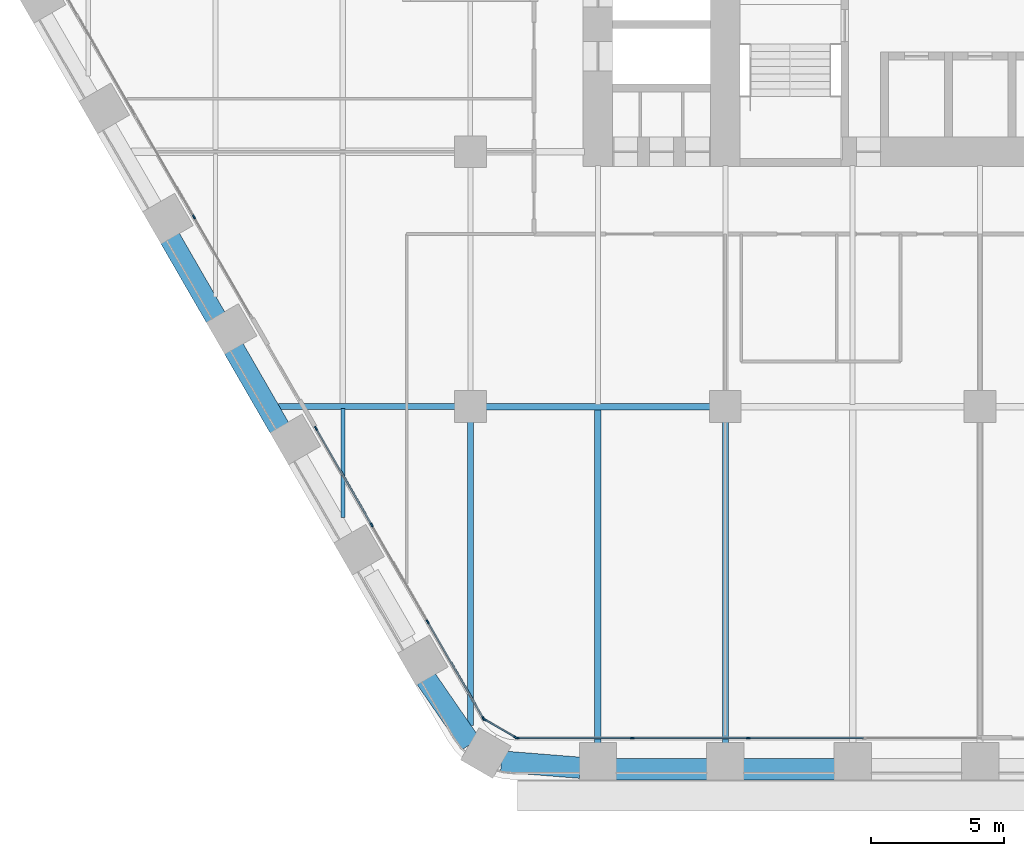
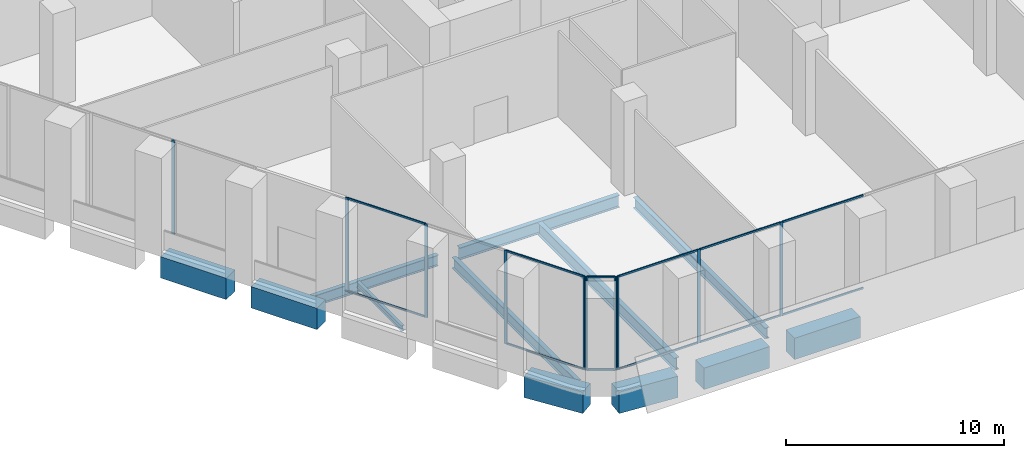
# One storey, part 2 of 30: 22 members, 12 beams, 4 elements without a shape of their own.
"""IFC4 building model written with IfcOpenShell, lengths in metres."""

import ifcopenshell
import ifcopenshell.guid

model = None  # the IFC model being written
_history = None  # IfcOwnerHistory: only IFC2X3 demands one
_inside = {}  # id of a spatial element -> (the spatial element, [elements in it])
_under = {}  # id of a project, library or spatial element -> (it, [spatial elements below it])
_declared = {}  # id of a project -> (the project, [libraries it declares])
_typed = {}  # id of a type object -> (the type object, [elements of that type])
_made_of = {}  # id of a material, layer set ... -> (it, [elements and type objects made of it])


def new_model(schema):
    """Start an empty IFC model of exactly this schema.

    Asked for "IFC4X3", IfcOpenShell would pick the latest addendum, in which some entities
    have other attributes; the version numbers below select the first issue.
    IFC2X3 requires an IfcOwnerHistory on every rooted entity: one is made here for all.
    """
    global model, _history
    if schema == "IFC4X3":
        model = ifcopenshell.file(schema_version=(4, 3, 0, 0))
    else:
        model = ifcopenshell.file(schema=schema)
    _inside.clear()
    _under.clear()
    _declared.clear()
    _typed.clear()
    _made_of.clear()
    _history = None
    if model.schema == "IFC2X3":
        org = make("IfcOrganization", Name="unknown")
        user = make(
            "IfcPersonAndOrganization",
            ThePerson=make("IfcPerson", FamilyName="unknown"),
            TheOrganization=org,
        )
        app = make(
            "IfcApplication",
            ApplicationDeveloper=org,
            Version="unknown",
            ApplicationFullName="unknown",
            ApplicationIdentifier="unknown",
        )
        _history = make(
            "IfcOwnerHistory",
            OwningUser=user,
            OwningApplication=app,
            ChangeAction="ADDED",
            CreationDate=0,
        )
    return model


def make(cls, **values):
    """One entity of the class cls with the attributes given. An attribute that is None is left unset."""
    return model.create_entity(
        cls, **{name: value for name, value in values.items() if value is not None}
    )


def rooted(cls, **values):
    """An entity with a GlobalId (a new one), such as an element, a storey or a relation."""
    return make(cls, GlobalId=ifcopenshell.guid.new(), OwnerHistory=_history, **values)


def si_unit(unit_type, name, prefix=None):
    """IfcSIUnit, for example si_unit("LENGTHUNIT", "METRE", prefix="MILLI")."""
    return make("IfcSIUnit", UnitType=unit_type, Prefix=prefix, Name=name)


def assignment(units):
    """IfcUnitAssignment: the units of a project."""
    return None if units is None else make("IfcUnitAssignment", Units=units)


def point(xyz):
    """IfcCartesianPoint."""
    return None if xyz is None else make("IfcCartesianPoint", Coordinates=xyz)


def direction(xyz):
    """IfcDirection."""
    return None if xyz is None else make("IfcDirection", DirectionRatios=xyz)


def frame(location, z_axis=None, x_axis=None):
    """IfcAxis2Placement3D, a coordinate frame: its origin and axes. An axis left out is left unset."""
    return make(
        "IfcAxis2Placement3D",
        Location=point(location),
        Axis=direction(z_axis),
        RefDirection=direction(x_axis),
    )


def frame_2d(location, x_axis=None):
    """IfcAxis2Placement2D, a coordinate frame in the plane: its origin and x axis."""
    return make(
        "IfcAxis2Placement2D", Location=point(location), RefDirection=direction(x_axis)
    )


def origin():
    """The frame at (0, 0, 0) with its axes left unset."""
    return frame((0.0, 0.0, 0.0))


def origin_2d():
    """The frame at (0, 0) in the plane with its x axis left unset."""
    return frame_2d((0.0, 0.0))


def place(relative_to, where):
    """IfcLocalPlacement: puts the frame where relative to a parent placement (None: the world)."""
    return make(
        "IfcLocalPlacement", PlacementRelTo=relative_to, RelativePlacement=where
    )


def context(
    kind, dimensions, precision=None, world=None, true_north=None, identifier=None
):
    """IfcGeometricRepresentationContext, for example the 3D "Model" context."""
    return make(
        "IfcGeometricRepresentationContext",
        ContextIdentifier=identifier,
        ContextType=kind,
        CoordinateSpaceDimension=dimensions,
        Precision=precision,
        WorldCoordinateSystem=world,
        TrueNorth=true_north,
    )


def subcontext(parent, identifier, kind, view, scale=None):
    """IfcGeometricRepresentationSubContext, for example "Body" below "Model"."""
    return make(
        "IfcGeometricRepresentationSubContext",
        ContextIdentifier=identifier,
        ContextType=kind,
        ParentContext=parent,
        TargetScale=scale,
        TargetView=view,
    )


def project(units=None, contexts=None):
    """IfcProject with its units and contexts."""
    return rooted(
        "IfcProject",
        Name="project",
        RepresentationContexts=contexts,
        UnitsInContext=assignment(units),
    )


def spatial(cls, under=None, at=None, **own):
    """A site, building, storey or space (cls), placed at a placement, below another one or the project."""
    s = rooted(cls, ObjectPlacement=at, **own)
    if under is not None:
        _under.setdefault(under.id(), (under, []))[1].append(s)
    return s


def profile(cls, at=None, kind="AREA", **sizes):
    """A parametric profile (cls). Its sizes go by their IFC names, for example OverallWidth=200.0."""
    return make(cls, ProfileType=kind, Position=at, **sizes)


def rectangle(**sizes):
    """IfcRectangleProfileDef."""
    return profile("IfcRectangleProfileDef", **sizes)


def i_section(**sizes):
    """IfcIShapeProfileDef."""
    return profile("IfcIShapeProfileDef", **sizes)


def extrude(swept, where, along, depth):
    """IfcExtrudedAreaSolid: the profile swept, set in the frame where, extruded along a direction by depth."""
    return make(
        "IfcExtrudedAreaSolid",
        SweptArea=swept,
        Position=where,
        ExtrudedDirection=direction(along),
        Depth=depth,
    )


def shape(context_of_items, identifier, shape_type, items):
    """IfcShapeRepresentation: the items that make up one representation, for example the "Body"."""
    return make(
        "IfcShapeRepresentation",
        ContextOfItems=context_of_items,
        RepresentationIdentifier=identifier,
        RepresentationType=shape_type,
        Items=items,
    )


def material(Name=None, Category=None):
    """IfcMaterial."""
    return make("IfcMaterial", Name=Name, Category=Category)


def material_profile(
    of_material, cross_section, Name=None, Category=None, Priority=None
):
    """IfcMaterialProfile: a cross section and its material."""
    return make(
        "IfcMaterialProfile",
        Name=Name,
        Material=of_material,
        Profile=cross_section,
        Priority=Priority,
        Category=Category,
    )


def profile_set(profiles, Name=None, composite=None):
    """IfcMaterialProfileSet."""
    return make(
        "IfcMaterialProfileSet",
        Name=Name,
        MaterialProfiles=profiles,
        CompositeProfile=composite,
    )


def made_of(thing, what):
    """Note that an element or type object is made of a material, layer set ...; save() writes the relation."""
    if what is not None:
        _made_of.setdefault(what.id(), (what, []))[1].append(thing)
    return thing


def type_object(cls, material=None, **own):
    """A type object (cls), such as IfcWallType, which elements share."""
    return made_of(rooted(cls, **own), material)


def element(
    cls,
    number,
    at=None,
    inside=None,
    cuts=None,
    type_object=None,
    material=None,
    context=None,
    identifier="Body",
    shape_type=None,
    held_by="IfcProductDefinitionShape",
    body=None,
    shapes=None,
    **own,
):
    """One element of the class cls, such as IfcWall. Its Tag is "e" and its number.

    at: its placement. inside: the storey or other place that contains it. cuts: it is an
    opening in that element (IfcRelVoidsElement). A single representation is given by context,
    identifier, shape_type and body (its items); several are given by shapes. held_by: the class
    of the entity that holds the representations. save() writes the other relations.
    """
    e = rooted(cls, Tag="e%d" % number, ObjectPlacement=at, **own)
    if body is not None:
        shapes = [shape(context, identifier, shape_type, body)]
    if shapes is not None:
        e.Representation = make(held_by, Representations=shapes)
    if inside is not None:
        _inside.setdefault(inside.id(), (inside, []))[1].append(e)
    if cuts is not None:
        rooted(
            "IfcRelVoidsElement", RelatingBuildingElement=cuts, RelatedOpeningElement=e
        )
    if type_object is not None:
        _typed.setdefault(type_object.id(), (type_object, []))[1].append(e)
    return made_of(e, material)


def aggregate(whole, parts):
    """IfcRelAggregates: a whole, such as a stair, and the parts it consists of."""
    return rooted("IfcRelAggregates", RelatingObject=whole, RelatedObjects=parts)


def save(model, path):
    """Write the relations noted so far, then the file.

    IfcRelAggregates (storeys below a building ...), IfcRelContainedInSpatialStructure (elements
    in a storey), IfcRelDefinesByType, IfcRelAssociatesMaterial and IfcRelDeclares: one each for
    every whole, place, type object, material and project.
    """
    for whole, parts in _under.values():
        aggregate(whole, parts)
    for where, things in _inside.values():
        rooted(
            "IfcRelContainedInSpatialStructure",
            RelatedElements=things,
            RelatingStructure=where,
        )
    for kind, things in _typed.values():
        rooted("IfcRelDefinesByType", RelatedObjects=things, RelatingType=kind)
    for what, things in _made_of.values():
        rooted("IfcRelAssociatesMaterial", RelatedObjects=things, RelatingMaterial=what)
    for by, libraries in _declared.values():
        rooted("IfcRelDeclares", RelatingContext=by, RelatedDefinitions=libraries)
    model.write(path)


model = new_model("IFC4")

# Units and contexts
model_context = context("Model", 3, precision=1e-05, world=origin(), true_north=direction((0.0, 1.0)))
body_context = subcontext(model_context, "Body", "Model", "MODEL_VIEW")
ifc_project = project(units=[si_unit("LENGTHUNIT", "METRE"), si_unit("AREAUNIT", "SQUARE_METRE"), si_unit("VOLUMEUNIT", "CUBIC_METRE"), si_unit("PLANEANGLEUNIT", "RADIAN"), si_unit("MASSUNIT", "GRAM", prefix="KILO")], contexts=[model_context])

# Site, building, storey
site_placement = place(None, origin())
site = spatial("IfcSite", under=ifc_project, at=site_placement, CompositionType="ELEMENT")
building_placement = place(site_placement, origin())
building = spatial("IfcBuilding", under=site, at=building_placement, Name="Kolab Exchange Tower", CompositionType="ELEMENT")
storey_placement = place(building_placement, frame((0.0, 0.0, 38.89990234375)))
storey = spatial("IfcBuildingStorey", under=building, at=storey_placement, Name="L07", CompositionType="ELEMENT", Elevation=38.89990234375)

# Beams
ifc_material_1 = material(Name="Steel S355", Category="steel")
ifc_material_profile_1 = material_profile(ifc_material_1, i_section(OverallWidth=0.1650390625, OverallDepth=0.31005859375, WebThickness=0.005859375, FlangeThickness=0.009765625, at=origin_2d()), Name="W310X39")
ifc_profile_set_1 = profile_set([ifc_material_profile_1], Name="Steel S355")
beam_type_1 = type_object("IfcBeamType", Name="FLOOR BEAM W310X39", PredefinedType="BEAM", material=ifc_profile_set_1)
beam_1_placement = place(storey_placement, frame((-24.0, -23.381591796875, -0.40478515625), z_axis=(0.0, 1.0, 0.0), x_axis=(-1.0, 0.0, 0.0)))
element("IfcBeam", 1, at=beam_1_placement, inside=storey, type_object=beam_type_1, Name="beam/L07/fr/006", PredefinedType="BEAM", context=body_context, shape_type="SweptSolid", body=[
    extrude(i_section(OverallWidth=0.1650390625, OverallDepth=0.31005859375, WebThickness=0.005859375, FlangeThickness=0.009765625, at=origin_2d()), origin(), (0.0, 0.0, 1.0), 4.107666015625),
])
ifc_material_profile_2 = material_profile(ifc_material_1, i_section(OverallWidth=0.22802734375, OverallDepth=0.60791015625, WebThickness=0.01123046875, FlangeThickness=0.017333984375, at=origin_2d()), Name="W610X113")
ifc_profile_set_2 = profile_set([ifc_material_profile_2], Name="Steel S355")
beam_type_2 = type_object("IfcBeamType", Name="FLOOR BEAM W610X113", PredefinedType="BEAM", material=ifc_profile_set_2)
beam_2_placement = place(storey_placement, frame((-19.199951171875, -31.214599609375, -0.553955078125), z_axis=(0.0, 1.0, 0.0), x_axis=(-1.0, 0.0, 0.0)))
element("IfcBeam", 2, at=beam_2_placement, inside=storey, type_object=beam_type_2, Name="beam/L07/fr/012", PredefinedType="BEAM", context=body_context, shape_type="SweptSolid", body=[
    extrude(i_section(OverallWidth=0.22802734375, OverallDepth=0.60791015625, WebThickness=0.01123046875, FlangeThickness=0.017333984375, at=origin_2d()), origin(), (0.0, 0.0, 1.0), 11.45458984375),
])
beam_3_placement = place(storey_placement, frame((-9.60009765625, -31.8955078125, -0.553955078125), z_axis=(0.0, 1.0, 0.0), x_axis=(-1.0, 0.0, 0.0)))
element("IfcBeam", 3, at=beam_3_placement, inside=storey, type_object=beam_type_2, Name="beam/L07/fr/022", PredefinedType="BEAM", context=body_context, shape_type="SweptSolid", body=[
    extrude(i_section(OverallWidth=0.22802734375, OverallDepth=0.60791015625, WebThickness=0.01123046875, FlangeThickness=0.017333984375, at=origin_2d()), origin(), (0.0, 0.0, 1.0), 12.135498046875),
])
ifc_material_profile_3 = material_profile(ifc_material_1, i_section(OverallWidth=0.25390625, OverallDepth=0.68408203125, WebThickness=0.012451171875, FlangeThickness=0.018798828125, at=origin_2d()), Name="W690X140")
ifc_profile_set_3 = profile_set([ifc_material_profile_3], Name="Steel S355")
beam_type_3 = type_object("IfcBeamType", Name="FLOOR BEAM W690X140", PredefinedType="BEAM", material=ifc_profile_set_3)
beam_4_placement = place(storey_placement, frame((-14.39990234375, -31.8955078125, -0.591796875), z_axis=(0.0, 1.0, 0.0), x_axis=(-1.0, 0.0, 0.0)))
element("IfcBeam", 4, at=beam_4_placement, inside=storey, type_object=beam_type_3, Name="beam/L07/fr/018", PredefinedType="BEAM", context=body_context, shape_type="SweptSolid", body=[
    extrude(i_section(OverallWidth=0.25390625, OverallDepth=0.68408203125, WebThickness=0.012451171875, FlangeThickness=0.018798828125, at=origin_2d()), origin(), (0.0, 0.0, 1.0), 12.6083984375),
])
ifc_material_profile_4 = material_profile(ifc_material_1, i_section(OverallWidth=0.22802734375, OverallDepth=0.60791015625, WebThickness=0.01123046875, FlangeThickness=0.017333984375, at=origin_2d()), Name="W610X113")
ifc_profile_set_4 = profile_set([ifc_material_profile_4], Name="Steel S355")
beam_type_4 = type_object("IfcBeamType", Name="FLOOR GIRDER W610X113", PredefinedType="BEAM", material=ifc_profile_set_4)
beam_5_placement = place(storey_placement, frame((-26.43115234375, -19.199951171875, -0.553955078125), z_axis=(1.0, 0.0, 0.0), x_axis=(0.0, 1.0, 0.0)))
element("IfcBeam", 5, at=beam_5_placement, inside=storey, type_object=beam_type_4, Name="beam/L07/gd/004", PredefinedType="BEAM", context=body_context, shape_type="SweptSolid", body=[
    extrude(i_section(OverallWidth=0.22802734375, OverallDepth=0.60791015625, WebThickness=0.01123046875, FlangeThickness=0.017333984375, at=origin_2d()), origin(), (0.0, 0.0, 1.0), 6.671142578125),
])
ifc_material_profile_5 = material_profile(ifc_material_1, i_section(OverallWidth=0.25390625, OverallDepth=0.68408203125, WebThickness=0.012451171875, FlangeThickness=0.018798828125, at=origin_2d()), Name="W690X140")
ifc_profile_set_5 = profile_set([ifc_material_profile_5], Name="Steel S355")
beam_type_5 = type_object("IfcBeamType", Name="FLOOR GIRDER W690X140", PredefinedType="BEAM", material=ifc_profile_set_5)
beam_6_placement = place(storey_placement, frame((-18.639892578125, -19.199951171875, -0.591796875), z_axis=(1.0, 0.0, 0.0), x_axis=(0.0, 1.0, 0.0)))
element("IfcBeam", 6, at=beam_6_placement, inside=storey, type_object=beam_type_5, Name="beam/L07/gd/006", PredefinedType="BEAM", context=body_context, shape_type="SweptSolid", body=[
    extrude(i_section(OverallWidth=0.25390625, OverallDepth=0.68408203125, WebThickness=0.012451171875, FlangeThickness=0.018798828125, at=origin_2d()), origin(), (0.0, 0.0, 1.0), 8.47998046875),
])
ifc_material_2 = material(Name="Concrete C80/95", Category="concrete")
ifc_material_profile_6 = material_profile(ifc_material_2, rectangle(XDim=0.800048828125, YDim=1.199951171875, at=origin_2d()), Name="RC800X1200")
ifc_profile_set_6 = profile_set([ifc_material_profile_6], Name="Concrete C80/95")
beam_type_6 = type_object("IfcBeamType", Name="SPANDREL BEAM 800X1200 C80/95", PredefinedType="BEAM", material=ifc_profile_set_6)
for number, where, z_axis, x_axis, name in (
    (7, (-5.4599609375, -32.85546875, -0.849853515625), (-1.0, 0.0, 0.0), (0.0, -1.0, 0.0), "beam/L07/sp/F4-06"),
    (8, (-10.260009765625, -32.85546875, -0.849853515625), (-1.0, 0.0, 0.0), (0.0, -1.0, 0.0), "beam/L07/sp/F4-07"),
):
    element("IfcBeam", number, at=place(storey_placement, frame(where, z_axis=z_axis, x_axis=x_axis)), inside=storey, type_object=beam_type_6, Name=name, PredefinedType="BEAM", context=body_context, shape_type="SweptSolid", body=[
        extrude(rectangle(XDim=0.800048828125, YDim=1.199951171875, at=origin_2d()), origin(), (0.0, 0.0, 1.0), 3.47998046875),
    ])
beam_7_placement = place(storey_placement, frame((-15.06005859375, -32.802734375, -0.849853515625), z_axis=(-0.996833978278, 0.07951112973, 0.0), x_axis=(-0.07951112973, -0.996833978278, 0.0)))
element("IfcBeam", 9, at=beam_7_placement, inside=storey, type_object=beam_type_6, Name="beam/L07/sp/F4-08", PredefinedType="BEAM", context=body_context, shape_type="SweptSolid", body=[
    extrude(rectangle(XDim=0.800048828125, YDim=1.199951171875, at=origin_2d()), origin(), (0.0, 0.0, 1.0), 2.984619140625),
])
beam_8_placement = place(storey_placement, frame((-19.18505859375, -31.901611328125, -0.849853515625), z_axis=(-0.567247290755, 0.823547516013, 0.0), x_axis=(-0.823547516013, -0.567247290755, 0.0)))
element("IfcBeam", 10, at=beam_8_placement, inside=storey, type_object=beam_type_6, Name="beam/L07/sp/F5-01", PredefinedType="BEAM", context=body_context, shape_type="SweptSolid", body=[
    extrude(rectangle(XDim=0.800048828125, YDim=1.199951171875, at=origin_2d()), origin(), (0.0, 0.0, 1.0), 2.984375),
])
beam_9_placement = place(storey_placement, frame((-26.383544921875, -20.012939453125, -0.849853515625), z_axis=(-0.500009906705, 0.86601968407, 0.0), x_axis=(-0.86601968407, -0.500009906705, 0.0)))
element("IfcBeam", 11, at=beam_9_placement, inside=storey, type_object=beam_type_6, Name="beam/L07/sp/F5-04", PredefinedType="BEAM", context=body_context, shape_type="SweptSolid", body=[
    extrude(rectangle(XDim=0.800048828125, YDim=1.199951171875, at=origin_2d()), origin(), (0.0, 0.0, 1.0), 3.47998046875),
])
beam_10_placement = place(storey_placement, frame((-28.78369140625, -15.856201171875, -0.849853515625), z_axis=(-0.499979528911, 0.866037222451, 0.0), x_axis=(-0.866037222451, -0.499979528911, 0.0)))
element("IfcBeam", 12, at=beam_10_placement, inside=storey, type_object=beam_type_6, Name="beam/L07/sp/F5-05", PredefinedType="BEAM", context=body_context, shape_type="SweptSolid", body=[
    extrude(rectangle(XDim=0.800048828125, YDim=1.199951171875, at=origin_2d()), origin(), (0.0, 0.0, 1.0), 3.480224609375),
])

# Curtain wall, members
ifc_material_3 = material(Name="Aluminium EN AW-6063 T6", Category="aluminium")
curtain_wall_type = type_object("IfcCurtainWallType", Name="UNITISED LOW ZONE CURTAIN WALL", PredefinedType="NOTDEFINED", material=ifc_material_3)
curtain_wall_1_placement = place(storey_placement, origin())
curtain_wall_1 = element("IfcCurtainWall", 13, at=curtain_wall_1_placement, inside=storey, type_object=curtain_wall_type, Name="cw/L07/F4-2", PredefinedType="NOTDEFINED")
ifc_material_profile_7 = material_profile(ifc_material_3, rectangle(XDim=0.06005859375, YDim=0.159912109375, at=origin_2d()), Name="RECT 60X160")
ifc_profile_set_7 = profile_set([ifc_material_profile_7], Name="Aluminium EN AW-6063 T6")
member_type_1 = type_object("IfcMemberType", Name="UNITISED LOW ZONE MULLION 60 X 160", PredefinedType="MULLION", material=ifc_profile_set_7)
member_1_placement = place(storey_placement, frame((-8.73388671875, -31.67529296875, 0.0), z_axis=(0.0, 0.0, 1.0), x_axis=(0.0, -1.0, 0.0)))
member_1 = element("IfcMember", 14, at=member_1_placement, type_object=member_type_1, Name="CW1 mullion 3", PredefinedType="MULLION", context=body_context, shape_type="SweptSolid", body=[
    extrude(rectangle(XDim=0.06005859375, YDim=0.159912109375, at=origin_2d()), origin(), (0.0, 0.0, 1.0), 5.25),
])
member_2_placement = place(storey_placement, frame((-13.10107421875, -31.67529296875, 0.0), z_axis=(0.0, 0.0, 1.0), x_axis=(0.0, -1.0, 0.0)))
member_2 = element("IfcMember", 15, at=member_2_placement, type_object=member_type_1, Name="CW1 mullion 4", PredefinedType="MULLION", context=body_context, shape_type="SweptSolid", body=[
    extrude(rectangle(XDim=0.06005859375, YDim=0.159912109375, at=origin_2d()), origin(), (0.0, 0.0, 1.0), 5.25),
])
member_3_placement = place(storey_placement, frame((-17.43798828125, -31.67529296875, 0.0), z_axis=(0.0, 0.0, 1.0), x_axis=(0.0, -1.0, 0.0)))
member_3 = element("IfcMember", 16, at=member_3_placement, type_object=member_type_1, Name="CW1 mullion 5", PredefinedType="MULLION", context=body_context, shape_type="SweptSolid", body=[
    extrude(rectangle(XDim=0.06005859375, YDim=0.159912109375, at=origin_2d()), origin(), (0.0, 0.0, 1.0), 5.25),
])

curtain_wall_2_placement = place(storey_placement, origin())
curtain_wall_2 = element("IfcCurtainWall", 17, at=curtain_wall_2_placement, inside=storey, type_object=curtain_wall_type, Name="cw/L07/F5-1", PredefinedType="NOTDEFINED")
member_4_placement = place(storey_placement, frame((-18.712646484375, -30.939453125, 0.0), z_axis=(0.0, 0.0, 1.0), x_axis=(-0.866025393644, -0.500000017564, 0.0)))
member_4 = element("IfcMember", 18, at=member_4_placement, type_object=member_type_1, Name="CW1 mullion 1", PredefinedType="MULLION", context=body_context, shape_type="SweptSolid", body=[
    extrude(rectangle(XDim=0.06005859375, YDim=0.159912109375, at=origin_2d()), origin(), (0.0, 0.0, 1.0), 5.25),
])
member_5_placement = place(storey_placement, frame((-20.80908203125, -27.308349609375, 0.0), z_axis=(0.0, 0.0, 1.0), x_axis=(-0.866025393644, -0.500000017564, 0.0)))
member_5 = element("IfcMember", 19, at=member_5_placement, type_object=member_type_1, Name="CW1 mullion 2", PredefinedType="MULLION", context=body_context, shape_type="SweptSolid", body=[
    extrude(rectangle(XDim=0.06005859375, YDim=0.159912109375, at=origin_2d()), origin(), (0.0, 0.0, 1.0), 5.25),
])
member_6_placement = place(storey_placement, frame((-22.92041015625, -23.651611328125, 0.0), z_axis=(0.0, 0.0, 1.0), x_axis=(-0.866025393644, -0.500000017564, 0.0)))
member_6 = element("IfcMember", 20, at=member_6_placement, type_object=member_type_1, Name="CW1 mullion 3", PredefinedType="MULLION", context=body_context, shape_type="SweptSolid", body=[
    extrude(rectangle(XDim=0.06005859375, YDim=0.159912109375, at=origin_2d()), origin(), (0.0, 0.0, 1.0), 5.25),
])
member_7_placement = place(storey_placement, frame((-25.0166015625, -20.0205078125, 0.0), z_axis=(0.0, 0.0, 1.0), x_axis=(-0.866025393644, -0.500000017564, 0.0)))
member_7 = element("IfcMember", 21, at=member_7_placement, type_object=member_type_1, Name="CW1 mullion 4", PredefinedType="MULLION", context=body_context, shape_type="SweptSolid", body=[
    extrude(rectangle(XDim=0.06005859375, YDim=0.159912109375, at=origin_2d()), origin(), (0.0, 0.0, 1.0), 5.25),
])

# Curtain wall, member
curtain_wall_3_placement = place(storey_placement, origin())
curtain_wall_3 = element("IfcCurtainWall", 22, at=curtain_wall_3_placement, inside=storey, type_object=curtain_wall_type, Name="cw/L07/F5-2", PredefinedType="NOTDEFINED")
member_8_placement = place(storey_placement, frame((-29.615234375, -12.0556640625, 0.0), z_axis=(0.0, 0.0, 1.0), x_axis=(-0.866025422102, -0.499999968274, 0.0)))
member_8 = element("IfcMember", 23, at=member_8_placement, type_object=member_type_1, Name="CW1 mullion 2", PredefinedType="MULLION", context=body_context, shape_type="SweptSolid", body=[
    extrude(rectangle(XDim=0.06005859375, YDim=0.159912109375, at=origin_2d()), origin(), (0.0, 0.0, 1.0), 5.25),
])
aggregate(curtain_wall_3, [member_8])

# Curtain wall, members
curtain_wall_4_placement = place(storey_placement, origin())
curtain_wall_4 = element("IfcCurtainWall", 24, at=curtain_wall_4_placement, inside=storey, type_object=curtain_wall_type, Name="cw/L07/F4F5-corner", PredefinedType="NOTDEFINED")
member_9_placement = place(storey_placement, frame((-17.493896484375, -31.660400390625, 0.0), z_axis=(0.0, 0.0, 1.0), x_axis=(-0.50000002237, -0.866025390869, 0.0)))
member_9 = element("IfcMember", 25, at=member_9_placement, type_object=member_type_1, Name="CW1 mullion 1", PredefinedType="MULLION", context=body_context, shape_type="SweptSolid", body=[
    extrude(rectangle(XDim=0.06005859375, YDim=0.159912109375, at=origin_2d()), origin(), (0.0, 0.0, 1.0), 5.25),
])
member_10_placement = place(storey_placement, frame((-18.671630859375, -30.98046875, 0.0), z_axis=(0.0, 0.0, 1.0), x_axis=(-0.50000002237, -0.866025390869, 0.0)))
member_10 = element("IfcMember", 26, at=member_10_placement, type_object=member_type_1, Name="CW1 mullion 2", PredefinedType="MULLION", context=body_context, shape_type="SweptSolid", body=[
    extrude(rectangle(XDim=0.06005859375, YDim=0.159912109375, at=origin_2d()), origin(), (0.0, 0.0, 1.0), 5.25),
])

# Member
ifc_material_profile_8 = material_profile(ifc_material_3, rectangle(XDim=0.06005859375, YDim=0.10009765625, at=origin_2d()), Name="RECT 60X100")
ifc_profile_set_8 = profile_set([ifc_material_profile_8], Name="Aluminium EN AW-6063 T6")
member_type_2 = type_object("IfcMemberType", Name="UNITISED LOW ZONE TRANSOM 60 X 100", PredefinedType="USERDEFINED", material=ifc_profile_set_8)
member_11_placement = place(storey_placement, frame((-4.39697265625, -31.67529296875, 0.030029296875), z_axis=(-1.0, 0.0, 0.0), x_axis=(0.0, -1.0, 0.0)))
member_11 = element("IfcMember", 27, at=member_11_placement, type_object=member_type_2, Name="CW1 transom 2.1", ObjectType="TRANSOM", PredefinedType="USERDEFINED", context=body_context, shape_type="SweptSolid", body=[
    extrude(rectangle(XDim=0.06005859375, YDim=0.10009765625, at=origin_2d()), origin(), (0.0, 0.0, 1.0), 4.306884765625),
])

member_12_placement = place(storey_placement, frame((-4.39697265625, -31.67529296875, 5.22021484375), z_axis=(-1.0, 0.0, 0.0), x_axis=(0.0, -1.0, 0.0)))
member_12 = element("IfcMember", 28, at=member_12_placement, type_object=member_type_2, Name="CW1 transom 2.2", ObjectType="TRANSOM", PredefinedType="USERDEFINED", context=body_context, shape_type="SweptSolid", body=[
    extrude(rectangle(XDim=0.06005859375, YDim=0.10009765625, at=origin_2d()), origin(), (0.0, 0.0, 1.0), 4.306884765625),
])

member_13_placement = place(storey_placement, frame((-8.763916015625, -31.67529296875, 0.030029296875), z_axis=(-1.0, 0.0, 0.0), x_axis=(0.0, -1.0, 0.0)))
member_13 = element("IfcMember", 29, at=member_13_placement, type_object=member_type_2, Name="CW1 transom 3.1", ObjectType="TRANSOM", PredefinedType="USERDEFINED", context=body_context, shape_type="SweptSolid", body=[
    extrude(rectangle(XDim=0.06005859375, YDim=0.10009765625, at=origin_2d()), origin(), (0.0, 0.0, 1.0), 4.30712890625),
])

member_14_placement = place(storey_placement, frame((-8.763916015625, -31.67529296875, 5.22021484375), z_axis=(-1.0, 0.0, 0.0), x_axis=(0.0, -1.0, 0.0)))
member_14 = element("IfcMember", 30, at=member_14_placement, type_object=member_type_2, Name="CW1 transom 3.2", ObjectType="TRANSOM", PredefinedType="USERDEFINED", context=body_context, shape_type="SweptSolid", body=[
    extrude(rectangle(XDim=0.06005859375, YDim=0.10009765625, at=origin_2d()), origin(), (0.0, 0.0, 1.0), 4.30712890625),
])

member_15_placement = place(storey_placement, frame((-13.130859375, -31.67529296875, 0.030029296875), z_axis=(-1.0, 0.0, 0.0), x_axis=(0.0, -1.0, 0.0)))
member_15 = element("IfcMember", 31, at=member_15_placement, type_object=member_type_2, Name="CW1 transom 4.1", ObjectType="TRANSOM", PredefinedType="USERDEFINED", context=body_context, shape_type="SweptSolid", body=[
    extrude(rectangle(XDim=0.06005859375, YDim=0.10009765625, at=origin_2d()), origin(), (0.0, 0.0, 1.0), 4.277099609375),
])

member_16_placement = place(storey_placement, frame((-13.130859375, -31.67529296875, 5.22021484375), z_axis=(-1.0, 0.0, 0.0), x_axis=(0.0, -1.0, 0.0)))
member_16 = element("IfcMember", 32, at=member_16_placement, type_object=member_type_2, Name="CW1 transom 4.2", ObjectType="TRANSOM", PredefinedType="USERDEFINED", context=body_context, shape_type="SweptSolid", body=[
    extrude(rectangle(XDim=0.06005859375, YDim=0.10009765625, at=origin_2d()), origin(), (0.0, 0.0, 1.0), 4.277099609375),
])

aggregate(curtain_wall_1, [member_1, member_2, member_3, member_11, member_12, member_13, member_14, member_15, member_16])

member_17_placement = place(storey_placement, frame((-18.727783203125, -30.913330078125, 0.030029296875), z_axis=(-0.499983268986, 0.866035063224, 0.0), x_axis=(-0.866035063224, -0.499983268986, 0.0)))
member_17 = element("IfcMember", 33, at=member_17_placement, type_object=member_type_2, Name="CW1 transom 1.1", ObjectType="TRANSOM", PredefinedType="USERDEFINED", context=body_context, shape_type="SweptSolid", body=[
    extrude(rectangle(XDim=0.06005859375, YDim=0.10009765625, at=origin_2d()), origin(), (0.0, 0.0, 1.0), 4.132568359375),
])

member_18_placement = place(storey_placement, frame((-18.727783203125, -30.913330078125, 5.22021484375), z_axis=(-0.499983268986, 0.866035063224, 0.0), x_axis=(-0.866035063224, -0.499983268986, 0.0)))
member_18 = element("IfcMember", 34, at=member_18_placement, type_object=member_type_2, Name="CW1 transom 1.2", ObjectType="TRANSOM", PredefinedType="USERDEFINED", context=body_context, shape_type="SweptSolid", body=[
    extrude(rectangle(XDim=0.06005859375, YDim=0.10009765625, at=origin_2d()), origin(), (0.0, 0.0, 1.0), 4.132568359375),
])

member_19_placement = place(storey_placement, frame((-22.935302734375, -23.62548828125, 0.030029296875), z_axis=(-0.500027577057, 0.866009481578, 0.0), x_axis=(-0.866009481578, -0.500027577057, 0.0)))
member_19 = element("IfcMember", 35, at=member_19_placement, type_object=member_type_2, Name="CW1 transom 3.1", ObjectType="TRANSOM", PredefinedType="USERDEFINED", context=body_context, shape_type="SweptSolid", body=[
    extrude(rectangle(XDim=0.06005859375, YDim=0.10009765625, at=origin_2d()), origin(), (0.0, 0.0, 1.0), 4.132568359375),
])

member_20_placement = place(storey_placement, frame((-22.935302734375, -23.62548828125, 5.22021484375), z_axis=(-0.500027577057, 0.866009481578, 0.0), x_axis=(-0.866009481578, -0.500027577057, 0.0)))
member_20 = element("IfcMember", 36, at=member_20_placement, type_object=member_type_2, Name="CW1 transom 3.2", ObjectType="TRANSOM", PredefinedType="USERDEFINED", context=body_context, shape_type="SweptSolid", body=[
    extrude(rectangle(XDim=0.06005859375, YDim=0.10009765625, at=origin_2d()), origin(), (0.0, 0.0, 1.0), 4.132568359375),
])

aggregate(curtain_wall_2, [member_4, member_5, member_6, member_7, member_17, member_18, member_19, member_20])

member_21_placement = place(storey_placement, frame((-17.52001953125, -31.645263671875, 0.030029296875), z_axis=(-0.86603858612, 0.49997716683, 0.0), x_axis=(-0.49997716683, -0.86603858612, 0.0)))
member_21 = element("IfcMember", 37, at=member_21_placement, type_object=member_type_2, Name="CW1 transom 1.1", ObjectType="TRANSOM", PredefinedType="USERDEFINED", context=body_context, shape_type="SweptSolid", body=[
    extrude(rectangle(XDim=0.06005859375, YDim=0.10009765625, at=origin_2d()), origin(), (0.0, 0.0, 1.0), 1.2998046875),
])

member_22_placement = place(storey_placement, frame((-17.52001953125, -31.645263671875, 5.22021484375), z_axis=(-0.86603858612, 0.49997716683, 0.0), x_axis=(-0.49997716683, -0.86603858612, 0.0)))
member_22 = element("IfcMember", 38, at=member_22_placement, type_object=member_type_2, Name="CW1 transom 1.2", ObjectType="TRANSOM", PredefinedType="USERDEFINED", context=body_context, shape_type="SweptSolid", body=[
    extrude(rectangle(XDim=0.06005859375, YDim=0.10009765625, at=origin_2d()), origin(), (0.0, 0.0, 1.0), 1.2998046875),
])

aggregate(curtain_wall_4, [member_9, member_10, member_21, member_22])

save(model, "model.ifc")
